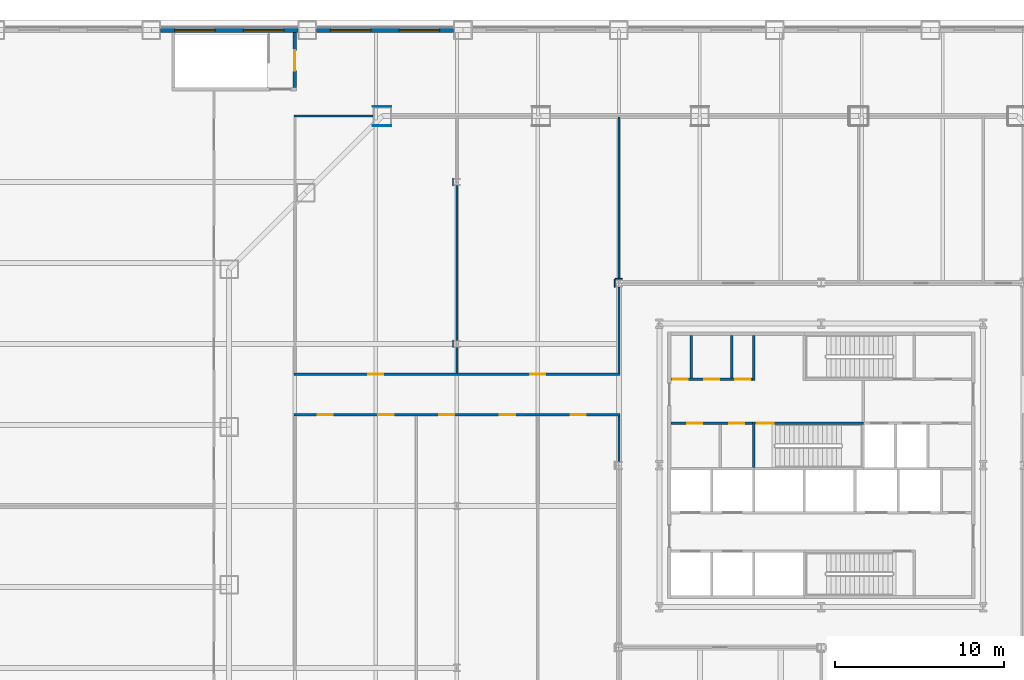
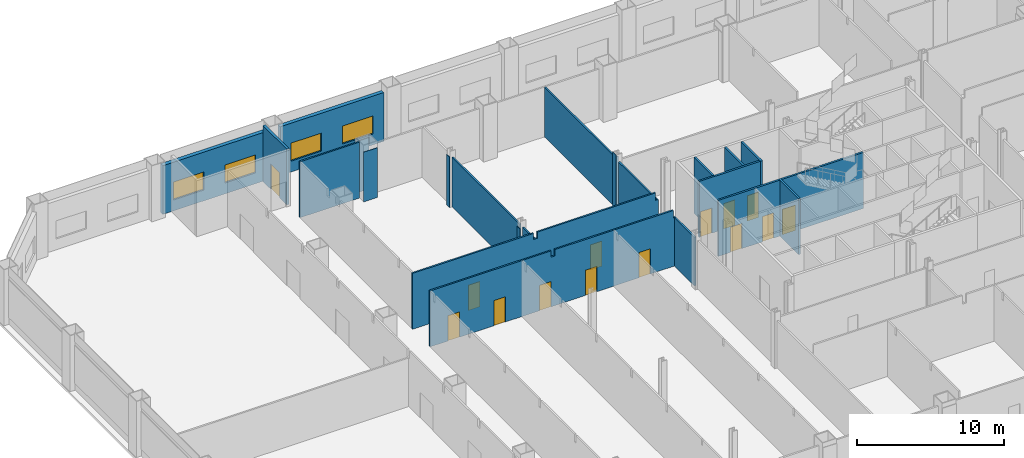
# One storey, part 12 of 22: 24 walls, 14 doors, 4 windows, 18 openings.
"""IFC4 building model written with IfcOpenShell, lengths in metres."""

from ifc_helpers import new_model, si_unit, direction, frame, frame_2d, origin, place, context, subcontext, project, spatial, polyline, rectangle, outline, extrude, material, layer, layer_set, type_object, element, fill, save


model = new_model("IFC4")

# Units and contexts
model_context = context("Model", 3, precision=1e-05, world=origin(), true_north=direction((0.0, 1.0)))
body_context = subcontext(model_context, "Body", "Model", "MODEL_VIEW")
ifc_project = project(units=[si_unit("LENGTHUNIT", "METRE"), si_unit("AREAUNIT", "SQUARE_METRE"), si_unit("VOLUMEUNIT", "CUBIC_METRE"), si_unit("PLANEANGLEUNIT", "RADIAN"), si_unit("MASSUNIT", "GRAM", prefix="KILO")], contexts=[model_context])

# Site, building, storey
site_placement = place(None, origin())
site = spatial("IfcSite", under=ifc_project, at=site_placement, CompositionType="ELEMENT")
building_placement = place(site_placement, origin())
building = spatial("IfcBuilding", under=site, at=building_placement, Name="Cairn Pilgrim Tower", CompositionType="ELEMENT")
storey_placement = place(building_placement, frame((0.0, 0.0, 35.39990234375)))
storey = spatial("IfcBuildingStorey", under=building, at=storey_placement, Name="L06", CompositionType="ELEMENT", Elevation=35.39990234375)

# Wall, openings, doors
ifc_material_1 = material(Name="Concrete C32/40", Category="concrete")
ifc_layer_1 = layer(ifc_material_1, 0.14990234375)
ifc_layer_set_1 = layer_set([ifc_layer_1], Name="CORE PARTITION 150 EI 60")
wall_type_1 = type_object("IfcWallType", Name="CORE PARTITION 150 EI 60", PredefinedType="PARTITIONING", material=ifc_layer_set_1)
wall_1_placement = place(storey_placement, frame((-1.699951171875, 4.89990234375, 0.0), z_axis=(0.0, 0.0, 1.0), x_axis=(1.0, 0.0, 0.0)))
wall_1 = element("IfcWall", 1, at=wall_1_placement, inside=storey, type_object=wall_type_1, Name="CW:L06:H07", PredefinedType="PARTITIONING", context=body_context, shape_type="SweptSolid", body=[
    extrude(rectangle(XDim=4.824951171875, YDim=0.14990234375, at=frame_2d((2.41259765625, 0.0))), origin(), (0.0, 0.0, 1.0), 4.650146484375),
])
opening_1_placement = place(wall_1_placement, frame((0.949951171875, 0.0, 0.0)))
opening_1 = element("IfcOpeningElement", 2, at=opening_1_placement, cuts=wall_1, Name="Opening RD-R3W1", PredefinedType="OPENING", context=body_context, shape_type="SweptSolid", body=[
    extrude(rectangle(XDim=0.89990234375, YDim=2.10009765625, at=frame_2d((0.449951171875, 1.050048828125))), frame((0.0, 0.0849609375, 0.0), z_axis=(0.0, -1.0, 0.0), x_axis=(1.0, 0.0, 0.0)), (0.0, 0.0, 1.0), 0.169921875),
])
opening_2_placement = place(wall_1_placement, frame((3.449951171875, 0.0, 0.0)))
opening_2 = element("IfcOpeningElement", 3, at=opening_2_placement, cuts=wall_1, Name="Opening RD-R3W2", PredefinedType="OPENING", context=body_context, shape_type="SweptSolid", body=[
    extrude(rectangle(XDim=0.89990234375, YDim=2.10009765625, at=frame_2d((0.449951171875, 1.050048828125))), frame((0.0, 0.0849609375, 0.0), z_axis=(0.0, -1.0, 0.0), x_axis=(1.0, 0.0, 0.0)), (0.0, 0.0, 1.0), 0.169921875),
])
ifc_material_2 = material(Name="Painted steel", Category="steel")
door_type_1 = type_object("IfcDoorType", Name="SERVICE ROOM DOOR 900x2100", OperationType="SINGLE_SWING_LEFT", PredefinedType="DOOR", material=ifc_material_2)
door_1_placement = place(opening_1_placement, origin())
door_1 = element("IfcDoor", 4, at=door_1_placement, inside=storey, type_object=door_type_1, Name="RD-R3W1", OperationType="SINGLE_SWING_RIGHT", OverallHeight=2.10009765625, OverallWidth=0.89990234375, PredefinedType="DOOR", context=body_context, shape_type="SweptSolid", body=[
    extrude(rectangle(XDim=0.89990234375, YDim=2.10009765625, at=frame_2d((0.449951171875, 1.050048828125))), frame((0.0, 0.02490234375, 0.0), z_axis=(0.0, -1.0, 0.0), x_axis=(1.0, 0.0, 0.0)), (0.0, 0.0, 1.0), 0.050048828125),
])
fill(opening_1, door_1)
door_2_placement = place(opening_2_placement, origin())
door_2 = element("IfcDoor", 5, at=door_2_placement, inside=storey, type_object=door_type_1, Name="RD-R3W2", OperationType="SINGLE_SWING_LEFT", OverallHeight=2.10009765625, OverallWidth=0.89990234375, PredefinedType="DOOR", context=body_context, shape_type="SweptSolid", body=[
    extrude(rectangle(XDim=0.89990234375, YDim=2.10009765625, at=frame_2d((0.449951171875, 1.050048828125))), frame((0.0, 0.02490234375, 0.0), z_axis=(0.0, -1.0, 0.0), x_axis=(1.0, 0.0, 0.0)), (0.0, 0.0, 1.0), 0.050048828125),
])
fill(opening_2, door_2)

wall_2_placement = place(storey_placement, frame((-1.699951171875, 7.5, 0.0), z_axis=(0.0, 0.0, 1.0), x_axis=(1.0, 0.0, 0.0)))
wall_2 = element("IfcWall", 6, at=wall_2_placement, inside=storey, type_object=wall_type_1, Name="CW:L06:H09", PredefinedType="PARTITIONING", context=body_context, shape_type="SweptSolid", body=[
    extrude(rectangle(XDim=4.824951171875, YDim=0.14990234375, at=frame_2d((2.41259765625, 0.0))), origin(), (0.0, 0.0, 1.0), 4.650146484375),
])
opening_3_placement = place(wall_2_placement, frame((0.10009765625, 0.0, 0.0)))
opening_3 = element("IfcOpeningElement", 7, at=opening_3_placement, cuts=wall_2, Name="Opening RD-R4W1", PredefinedType="OPENING", context=body_context, shape_type="SweptSolid", body=[
    extrude(rectangle(XDim=0.89990234375, YDim=2.10009765625, at=frame_2d((0.449951171875, 1.050048828125))), frame((0.0, 0.0849609375, 0.0), z_axis=(0.0, -1.0, 0.0), x_axis=(1.0, 0.0, 0.0)), (0.0, 0.0, 1.0), 0.169921875),
])
opening_4_placement = place(wall_2_placement, frame((1.949951171875, 0.0, 0.0)))
opening_4 = element("IfcOpeningElement", 8, at=opening_4_placement, cuts=wall_2, Name="Opening RD-R4W2", PredefinedType="OPENING", context=body_context, shape_type="SweptSolid", body=[
    extrude(rectangle(XDim=0.89990234375, YDim=2.10009765625, at=frame_2d((0.449951171875, 1.050048828125))), frame((0.0, 0.0849609375, 0.0), z_axis=(0.0, -1.0, 0.0), x_axis=(1.0, 0.0, 0.0)), (0.0, 0.0, 1.0), 0.169921875),
])
opening_5_placement = place(wall_2_placement, frame((3.800048828125, 0.0, 0.0)))
opening_5 = element("IfcOpeningElement", 9, at=opening_5_placement, cuts=wall_2, Name="Opening RD-R4W3", PredefinedType="OPENING", context=body_context, shape_type="SweptSolid", body=[
    extrude(rectangle(XDim=0.89990234375, YDim=2.10009765625, at=frame_2d((0.449951171875, 1.050048828125))), frame((0.0, 0.0849609375, 0.0), z_axis=(0.0, -1.0, 0.0), x_axis=(1.0, 0.0, 0.0)), (0.0, 0.0, 1.0), 0.169921875),
])
door_3_placement = place(opening_3_placement, origin())
door_3 = element("IfcDoor", 10, at=door_3_placement, inside=storey, type_object=door_type_1, Name="RD-R4W1", OperationType="SINGLE_SWING_RIGHT", OverallHeight=2.10009765625, OverallWidth=0.89990234375, PredefinedType="DOOR", context=body_context, shape_type="SweptSolid", body=[
    extrude(rectangle(XDim=0.89990234375, YDim=2.10009765625, at=frame_2d((0.449951171875, 1.050048828125))), frame((0.0, 0.02490234375, 0.0), z_axis=(0.0, -1.0, 0.0), x_axis=(1.0, 0.0, 0.0)), (0.0, 0.0, 1.0), 0.050048828125),
])
fill(opening_3, door_3)
door_4_placement = place(opening_4_placement, origin())
door_4 = element("IfcDoor", 11, at=door_4_placement, inside=storey, type_object=door_type_1, Name="RD-R4W2", OperationType="SINGLE_SWING_LEFT", OverallHeight=2.10009765625, OverallWidth=0.89990234375, PredefinedType="DOOR", context=body_context, shape_type="SweptSolid", body=[
    extrude(rectangle(XDim=0.89990234375, YDim=2.10009765625, at=frame_2d((0.449951171875, 1.050048828125))), frame((0.0, 0.02490234375, 0.0), z_axis=(0.0, -1.0, 0.0), x_axis=(1.0, 0.0, 0.0)), (0.0, 0.0, 1.0), 0.050048828125),
])
fill(opening_4, door_4)
door_5_placement = place(opening_5_placement, origin())
door_5 = element("IfcDoor", 12, at=door_5_placement, inside=storey, type_object=door_type_1, Name="RD-R4W3", OperationType="SINGLE_SWING_RIGHT", OverallHeight=2.10009765625, OverallWidth=0.89990234375, PredefinedType="DOOR", context=body_context, shape_type="SweptSolid", body=[
    extrude(rectangle(XDim=0.89990234375, YDim=2.10009765625, at=frame_2d((0.449951171875, 1.050048828125))), frame((0.0, 0.02490234375, 0.0), z_axis=(0.0, -1.0, 0.0), x_axis=(1.0, 0.0, 0.0)), (0.0, 0.0, 1.0), 0.050048828125),
])
fill(opening_5, door_5)

# Walls
for number, where, z_axis, x_axis, name in (
    (13, (-0.5, 7.574951171875, 0.0), (0.0, 0.0, 1.0), (0.0, 1.0, 0.0), "CW:L06:V13"),
    (14, (1.89990234375, 7.574951171875, 0.0), (0.0, 0.0, 1.0), (0.0, 1.0, 0.0), "CW:L06:V17"),
):
    element("IfcWall", number, at=place(storey_placement, frame(where, z_axis=z_axis, x_axis=x_axis)), inside=storey, type_object=wall_type_1, Name=name, PredefinedType="PARTITIONING", context=body_context, shape_type="SweptSolid", body=[
        extrude(rectangle(XDim=2.525146484375, YDim=0.14990234375, at=frame_2d((1.2626953125, 0.0))), origin(), (0.0, 0.0, 1.0), 4.650146484375),
    ])
wall_3_placement = place(storey_placement, frame((3.199951171875, 7.425048828125, 0.0), z_axis=(0.0, 0.0, 1.0), x_axis=(0.0, 1.0, 0.0)))
element("IfcWall", 15, at=wall_3_placement, inside=storey, type_object=wall_type_1, Name="CW:L06:V21", PredefinedType="PARTITIONING", context=body_context, shape_type="SweptSolid", body=[
    extrude(rectangle(XDim=2.675048828125, YDim=0.14990234375, at=frame_2d((1.33740234375, 0.0))), origin(), (0.0, 0.0, 1.0), 4.650146484375),
])
ifc_material_3 = material(Name="Gypsum partition")
ifc_layer_2 = layer(ifc_material_3, 0.125)
ifc_layer_set_2 = layer_set([ifc_layer_2], Name="PARTITION 125 DRYWALL EI 60")
wall_type_2 = type_object("IfcWallType", Name="PARTITION 125 DRYWALL EI 60", PredefinedType="PARTITIONING", material=ifc_layer_set_2)
wall_4_placement = place(storey_placement, frame((-4.800048828125, 2.636962890625, 0.0), z_axis=(0.0, 0.0, 1.0), x_axis=(0.0, 1.0, 0.0)))
element("IfcWall", 16, at=wall_4_placement, inside=storey, type_object=wall_type_2, Name="PARTITION W039", PredefinedType="PARTITIONING", context=body_context, shape_type="SweptSolid", body=[
    extrude(rectangle(XDim=2.700439453125, YDim=0.125, at=frame_2d((1.35009765625, 0.0))), origin(), (0.0, 0.0, 1.0), 4.030029296875),
])

# Wall, openings, doors
wall_5_placement = place(storey_placement, frame((-24.0625, 5.39990234375, 0.0), z_axis=(0.0, 0.0, 1.0), x_axis=(1.0, 0.0, 0.0)))
wall_5 = element("IfcWall", 17, at=wall_5_placement, inside=storey, type_object=wall_type_2, Name="PARTITION W045", PredefinedType="PARTITIONING", context=body_context, shape_type="SweptSolid", body=[
    extrude(outline(polyline([(0.0, 0.0), (19.324951171875, 0.0), (19.324951171875, 4.030029296875), (19.112548828125, 4.030029296875), (19.110595703125, 4.650146484375), (9.8125, 4.650146484375), (9.810546875, 4.130126953125), (9.512451171875, 4.130126953125), (9.510498046875, 4.650146484375), (0.0, 4.650146484375), (0.0, 0.0)])), frame((0.0, 0.0625, 0.0), z_axis=(0.0, -1.0, 0.0), x_axis=(1.0, 0.0, 0.0)), (0.0, 0.0, 1.0), 0.125),
])
opening_6_placement = place(wall_5_placement, frame((1.41259765625, 0.0, 0.0)))
opening_6 = element("IfcOpeningElement", 18, at=opening_6_placement, cuts=wall_5, Name="Opening 0603", PredefinedType="OPENING", context=body_context, shape_type="SweptSolid", body=[
    extrude(rectangle(XDim=0.89990234375, YDim=2.10009765625, at=frame_2d((0.449951171875, 1.050048828125))), frame((0.0, 0.072509765625, 0.0), z_axis=(0.0, -1.0, 0.0), x_axis=(1.0, 0.0, 0.0)), (0.0, 0.0, 1.0), 0.14501953125),
])
opening_7_placement = place(wall_5_placement, frame((5.012451171875, 0.0, 0.0)))
opening_7 = element("IfcOpeningElement", 19, at=opening_7_placement, cuts=wall_5, Name="Opening 0604", PredefinedType="OPENING", context=body_context, shape_type="SweptSolid", body=[
    extrude(rectangle(XDim=0.89990234375, YDim=2.10009765625, at=frame_2d((0.449951171875, 1.050048828125))), frame((0.0, 0.072509765625, 0.0), z_axis=(0.0, -1.0, 0.0), x_axis=(1.0, 0.0, 0.0)), (0.0, 0.0, 1.0), 0.14501953125),
])
opening_8_placement = place(wall_5_placement, frame((8.612548828125, 0.0, 0.0)))
opening_8 = element("IfcOpeningElement", 20, at=opening_8_placement, cuts=wall_5, Name="Opening 0605", PredefinedType="OPENING", context=body_context, shape_type="SweptSolid", body=[
    extrude(rectangle(XDim=0.89990234375, YDim=2.10009765625, at=frame_2d((0.449951171875, 1.050048828125))), frame((0.0, 0.072509765625, 0.0), z_axis=(0.0, -1.0, 0.0), x_axis=(1.0, 0.0, 0.0)), (0.0, 0.0, 1.0), 0.14501953125),
])
opening_9_placement = place(wall_5_placement, frame((12.21240234375, 0.0, 0.0)))
opening_9 = element("IfcOpeningElement", 21, at=opening_9_placement, cuts=wall_5, Name="Opening 0606", PredefinedType="OPENING", context=body_context, shape_type="SweptSolid", body=[
    extrude(rectangle(XDim=0.89990234375, YDim=2.10009765625, at=frame_2d((0.449951171875, 1.050048828125))), frame((0.0, 0.072509765625, 0.0), z_axis=(0.0, -1.0, 0.0), x_axis=(1.0, 0.0, 0.0)), (0.0, 0.0, 1.0), 0.14501953125),
])
opening_10_placement = place(wall_5_placement, frame((16.41259765625, 0.0, 0.0)))
opening_10 = element("IfcOpeningElement", 22, at=opening_10_placement, cuts=wall_5, Name="Opening 0607", PredefinedType="OPENING", context=body_context, shape_type="SweptSolid", body=[
    extrude(rectangle(XDim=0.89990234375, YDim=2.10009765625, at=frame_2d((0.449951171875, 1.050048828125))), frame((0.0, 0.072509765625, 0.0), z_axis=(0.0, -1.0, 0.0), x_axis=(1.0, 0.0, 0.0)), (0.0, 0.0, 1.0), 0.14501953125),
])
ifc_material_4 = material(Name="Timber door leaf", Category="wood")
door_type_2 = type_object("IfcDoorType", Name="ROOM DOOR 900x2100 FD30S", OperationType="NOTDEFINED", PredefinedType="DOOR", material=ifc_material_4)
door_6_placement = place(opening_6_placement, origin())
door_6 = element("IfcDoor", 23, at=door_6_placement, inside=storey, type_object=door_type_2, Name="DOOR 0603", OperationType="SINGLE_SWING_LEFT", OverallHeight=2.10009765625, OverallWidth=0.89990234375, PredefinedType="DOOR", context=body_context, shape_type="SweptSolid", body=[
    extrude(rectangle(XDim=0.89990234375, YDim=2.10009765625, at=frame_2d((0.449951171875, 1.050048828125))), frame((0.0, 0.02490234375, 0.0), z_axis=(0.0, -1.0, 0.0), x_axis=(1.0, 0.0, 0.0)), (0.0, 0.0, 1.0), 0.050048828125),
])
fill(opening_6, door_6)
door_7_placement = place(opening_7_placement, origin())
door_7 = element("IfcDoor", 24, at=door_7_placement, inside=storey, type_object=door_type_2, Name="DOOR 0604", OperationType="SINGLE_SWING_RIGHT", OverallHeight=2.10009765625, OverallWidth=0.89990234375, PredefinedType="DOOR", context=body_context, shape_type="SweptSolid", body=[
    extrude(rectangle(XDim=0.89990234375, YDim=2.10009765625, at=frame_2d((0.449951171875, 1.050048828125))), frame((0.0, 0.02490234375, 0.0), z_axis=(0.0, -1.0, 0.0), x_axis=(1.0, 0.0, 0.0)), (0.0, 0.0, 1.0), 0.050048828125),
])
fill(opening_7, door_7)
door_8_placement = place(opening_8_placement, origin())
door_8 = element("IfcDoor", 25, at=door_8_placement, inside=storey, type_object=door_type_2, Name="DOOR 0605", OperationType="SINGLE_SWING_LEFT", OverallHeight=2.10009765625, OverallWidth=0.89990234375, PredefinedType="DOOR", context=body_context, shape_type="SweptSolid", body=[
    extrude(rectangle(XDim=0.89990234375, YDim=2.10009765625, at=frame_2d((0.449951171875, 1.050048828125))), frame((0.0, 0.02490234375, 0.0), z_axis=(0.0, -1.0, 0.0), x_axis=(1.0, 0.0, 0.0)), (0.0, 0.0, 1.0), 0.050048828125),
])
fill(opening_8, door_8)
door_9_placement = place(opening_9_placement, origin())
door_9 = element("IfcDoor", 26, at=door_9_placement, inside=storey, type_object=door_type_2, Name="DOOR 0606", OperationType="SINGLE_SWING_RIGHT", OverallHeight=2.10009765625, OverallWidth=0.89990234375, PredefinedType="DOOR", context=body_context, shape_type="SweptSolid", body=[
    extrude(rectangle(XDim=0.89990234375, YDim=2.10009765625, at=frame_2d((0.449951171875, 1.050048828125))), frame((0.0, 0.02490234375, 0.0), z_axis=(0.0, -1.0, 0.0), x_axis=(1.0, 0.0, 0.0)), (0.0, 0.0, 1.0), 0.050048828125),
])
fill(opening_9, door_9)
door_10_placement = place(opening_10_placement, origin())
door_10 = element("IfcDoor", 27, at=door_10_placement, inside=storey, type_object=door_type_2, Name="DOOR 0607", OperationType="SINGLE_SWING_LEFT", OverallHeight=2.10009765625, OverallWidth=0.89990234375, PredefinedType="DOOR", context=body_context, shape_type="SweptSolid", body=[
    extrude(rectangle(XDim=0.89990234375, YDim=2.10009765625, at=frame_2d((0.449951171875, 1.050048828125))), frame((0.0, 0.02490234375, 0.0), z_axis=(0.0, -1.0, 0.0), x_axis=(1.0, 0.0, 0.0)), (0.0, 0.0, 1.0), 0.050048828125),
])
fill(opening_10, door_10)

wall_6_placement = place(storey_placement, frame((-24.0625, 7.800048828125, 0.0), z_axis=(0.0, 0.0, 1.0), x_axis=(1.0, 0.0, 0.0)))
wall_6 = element("IfcWall", 28, at=wall_6_placement, inside=storey, type_object=wall_type_2, Name="PARTITION W047", PredefinedType="PARTITIONING", context=body_context, shape_type="SweptSolid", body=[
    extrude(outline(polyline([(0.0, 0.0), (19.324951171875, 0.0), (19.324951171875, 4.030029296875), (19.112548828125, 4.030029296875), (19.110595703125, 4.650146484375), (9.8125, 4.650146484375), (9.810546875, 4.130126953125), (9.512451171875, 4.130126953125), (9.510498046875, 4.650146484375), (0.0, 4.650146484375), (0.0, 0.0)])), frame((0.0, 0.0625, 0.0), z_axis=(0.0, -1.0, 0.0), x_axis=(1.0, 0.0, 0.0)), (0.0, 0.0, 1.0), 0.125),
])
opening_11_placement = place(wall_6_placement, frame((4.41259765625, 0.0, 0.0)))
opening_11 = element("IfcOpeningElement", 29, at=opening_11_placement, cuts=wall_6, Name="Opening 0601", PredefinedType="OPENING", context=body_context, shape_type="SweptSolid", body=[
    extrude(rectangle(XDim=0.89990234375, YDim=2.10009765625, at=frame_2d((0.449951171875, 1.050048828125))), frame((0.0, 0.072509765625, 0.0), z_axis=(0.0, -1.0, 0.0), x_axis=(1.0, 0.0, 0.0)), (0.0, 0.0, 1.0), 0.14501953125),
])
opening_12_placement = place(wall_6_placement, frame((14.012451171875, 0.0, 0.0)))
opening_12 = element("IfcOpeningElement", 30, at=opening_12_placement, cuts=wall_6, Name="Opening 0602", PredefinedType="OPENING", context=body_context, shape_type="SweptSolid", body=[
    extrude(rectangle(XDim=0.89990234375, YDim=2.10009765625, at=frame_2d((0.449951171875, 1.050048828125))), frame((0.0, 0.072509765625, 0.0), z_axis=(0.0, -1.0, 0.0), x_axis=(1.0, 0.0, 0.0)), (0.0, 0.0, 1.0), 0.14501953125),
])
door_11_placement = place(opening_11_placement, frame((0.89990234375, 0.0, 0.0), z_axis=(0.0, 0.0, 1.0), x_axis=(-1.0, 0.0, 0.0)))
door_11 = element("IfcDoor", 31, at=door_11_placement, inside=storey, type_object=door_type_2, Name="DOOR 0601", OperationType="SINGLE_SWING_LEFT", OverallHeight=2.10009765625, OverallWidth=0.89990234375, PredefinedType="DOOR", context=body_context, shape_type="SweptSolid", body=[
    extrude(rectangle(XDim=0.89990234375, YDim=2.10009765625, at=frame_2d((0.449951171875, 1.050048828125))), frame((0.0, 0.02490234375, 0.0), z_axis=(0.0, -1.0, 0.0), x_axis=(1.0, 0.0, 0.0)), (0.0, 0.0, 1.0), 0.050048828125),
])
fill(opening_11, door_11)
door_12_placement = place(opening_12_placement, frame((0.89990234375, 0.0, 0.0), z_axis=(0.0, 0.0, 1.0), x_axis=(-1.0, 0.0, 0.0)))
door_12 = element("IfcDoor", 32, at=door_12_placement, inside=storey, type_object=door_type_2, Name="DOOR 0602", OperationType="SINGLE_SWING_LEFT", OverallHeight=2.10009765625, OverallWidth=0.89990234375, PredefinedType="DOOR", context=body_context, shape_type="SweptSolid", body=[
    extrude(rectangle(XDim=0.89990234375, YDim=2.10009765625, at=frame_2d((0.449951171875, 1.050048828125))), frame((0.0, 0.02490234375, 0.0), z_axis=(0.0, -1.0, 0.0), x_axis=(1.0, 0.0, 0.0)), (0.0, 0.0, 1.0), 0.050048828125),
])
fill(opening_12, door_12)

# Walls
wall_7_placement = place(storey_placement, frame((-14.39990234375, 7.862548828125, 0.0), z_axis=(0.0, 0.0, 1.0), x_axis=(0.0, 1.0, 0.0)))
element("IfcWall", 33, at=wall_7_placement, inside=storey, type_object=wall_type_2, Name="PARTITION W050", PredefinedType="PARTITIONING", context=body_context, shape_type="SweptSolid", body=[
    extrude(rectangle(XDim=1.52490234375, YDim=0.125, at=frame_2d((0.762451171875, 0.0))), origin(), (0.0, 0.0, 1.0), 4.130126953125),
])
wall_8_placement = place(storey_placement, frame((-4.800048828125, 7.862548828125, 0.0), z_axis=(0.0, 0.0, 1.0), x_axis=(0.0, 1.0, 0.0)))
element("IfcWall", 34, at=wall_8_placement, inside=storey, type_object=wall_type_2, Name="PARTITION W051", PredefinedType="PARTITIONING", context=body_context, shape_type="SweptSolid", body=[
    extrude(rectangle(XDim=5.100341796875, YDim=0.125, at=frame_2d((2.55029296875, 0.0))), origin(), (0.0, 0.0, 1.0), 4.030029296875),
])
wall_9_placement = place(storey_placement, frame((-14.39990234375, 9.8125, 0.0), z_axis=(0.0, 0.0, 1.0), x_axis=(0.0, 1.0, 0.0)))
element("IfcWall", 35, at=wall_9_placement, inside=storey, type_object=wall_type_2, Name="PARTITION W054", PredefinedType="PARTITIONING", context=body_context, shape_type="SweptSolid", body=[
    extrude(rectangle(XDim=9.175048828125, YDim=0.125, at=frame_2d((4.58740234375, 0.0))), origin(), (0.0, 0.0, 1.0), 4.130126953125),
])
wall_10_placement = place(storey_placement, frame((-4.800048828125, 13.43701171875, 0.0), z_axis=(0.0, 0.0, 1.0), x_axis=(0.0, 1.0, 0.0)))
element("IfcWall", 36, at=wall_10_placement, inside=storey, type_object=wall_type_2, Name="PARTITION W061", PredefinedType="PARTITIONING", context=body_context, shape_type="SweptSolid", body=[
    extrude(rectangle(XDim=9.6005859375, YDim=0.125, at=frame_2d((4.80029296875, 0.0))), origin(), (0.0, 0.0, 1.0), 4.130126953125),
])
wall_11_placement = place(storey_placement, frame((-24.0625, 23.10009765625, 0.0), z_axis=(0.0, 0.0, 1.0), x_axis=(1.0, 0.0, 0.0)))
element("IfcWall", 37, at=wall_11_placement, inside=storey, type_object=wall_type_2, Name="PARTITION W070", PredefinedType="PARTITIONING", context=body_context, shape_type="SweptSolid", body=[
    extrude(rectangle(XDim=4.685302734375, YDim=0.125, at=frame_2d((2.3427734375, 0.0))), origin(), (0.0, 0.0, 1.0), 4.650146484375),
])
ifc_layer_3 = layer(ifc_material_3, 0.050048828125)
ifc_layer_set_3 = layer_set([ifc_layer_3], Name="PARTITION 50 DRYWALL EI 60")
wall_type_3 = type_object("IfcWallType", Name="PARTITION 50 DRYWALL EI 60", PredefinedType="PARTITIONING", material=ifc_layer_set_3)
wall_12_placement = place(storey_placement, frame((-14.62939453125, 9.387451171875, 0.0), z_axis=(0.0, 0.0, 1.0), x_axis=(0.0, 1.0, 0.0)))
element("IfcWall", 38, at=wall_12_placement, inside=storey, type_object=wall_type_3, Name="COLUMN CASING WC28", PredefinedType="PARTITIONING", context=body_context, shape_type="SweptSolid", body=[
    extrude(rectangle(XDim=0.425048828125, YDim=0.050048828125, at=frame_2d((0.21240234375, 0.0))), origin(), (0.0, 0.0, 1.0), 4.030029296875),
])
wall_13_placement = place(storey_placement, frame((-14.62939453125, 18.987548828125, 0.0), z_axis=(0.0, 0.0, 1.0), x_axis=(0.0, 1.0, 0.0)))
element("IfcWall", 39, at=wall_13_placement, inside=storey, type_object=wall_type_3, Name="COLUMN CASING WC29", PredefinedType="PARTITIONING", context=body_context, shape_type="SweptSolid", body=[
    extrude(rectangle(XDim=0.425048828125, YDim=0.050048828125, at=frame_2d((0.21240234375, 0.0))), origin(), (0.0, 0.0, 1.0), 4.18017578125),
])
wall_14_placement = place(storey_placement, frame((-5.037109375, 12.962890625, 0.0), z_axis=(0.0, 0.0, 1.0), x_axis=(0.0, 1.0, 0.0)))
element("IfcWall", 40, at=wall_14_placement, inside=storey, type_object=wall_type_3, Name="COLUMN CASING WC30", PredefinedType="PARTITIONING", context=body_context, shape_type="SweptSolid", body=[
    extrude(rectangle(XDim=0.47412109375, YDim=0.050048828125, at=frame_2d((0.237060546875, 0.0))), origin(), (0.0, 0.0, 1.0), 4.650146484375),
])
wall_15_placement = place(storey_placement, frame((-5.011962890625, 13.4619140625, 0.0), z_axis=(0.0, 0.0, 1.0), x_axis=(1.0, 0.0, 0.0)))
element("IfcWall", 41, at=wall_15_placement, inside=storey, type_object=wall_type_3, Name="COLUMN CASING WC34", PredefinedType="PARTITIONING", context=body_context, shape_type="SweptSolid", body=[
    extrude(rectangle(XDim=0.424072265625, YDim=0.050048828125, at=frame_2d((0.2119140625, 0.0))), origin(), (0.0, 0.0, 1.0), 4.130126953125),
])
wall_16_placement = place(storey_placement, frame((-19.377197265625, 22.52490234375, 0.0), z_axis=(0.0, 0.0, 1.0), x_axis=(1.0, 0.0, 0.0)))
element("IfcWall", 42, at=wall_16_placement, inside=storey, type_object=wall_type_3, Name="COLUMN CASING WC41", PredefinedType="PARTITIONING", context=body_context, shape_type="SweptSolid", body=[
    extrude(rectangle(XDim=1.10009765625, YDim=0.050048828125, at=frame_2d((0.550048828125, 0.0))), origin(), (0.0, 0.0, 1.0), 4.130126953125),
])
wall_17_placement = place(storey_placement, frame((-19.377197265625, 23.675048828125, 0.0), z_axis=(0.0, 0.0, 1.0), x_axis=(1.0, 0.0, 0.0)))
element("IfcWall", 43, at=wall_17_placement, inside=storey, type_object=wall_type_3, Name="COLUMN CASING WC42", PredefinedType="PARTITIONING", context=body_context, shape_type="SweptSolid", body=[
    extrude(rectangle(XDim=1.10009765625, YDim=0.050048828125, at=frame_2d((0.550048828125, 0.0))), origin(), (0.0, 0.0, 1.0), 4.27001953125),
])

# Wall, opening, door
ifc_material_5 = material(Name="Concrete C35/45", Category="concrete")
ifc_layer_4 = layer(ifc_material_5, 0.199951171875)
ifc_layer_set_4 = layer_set([ifc_layer_4], Name="PODIUM STAIR WALL 200 EI 120")
wall_type_4 = type_object("IfcWallType", Name="PODIUM STAIR WALL 200 EI 120", PredefinedType="SOLIDWALL", material=ifc_layer_set_4)
wall_18_placement = place(storey_placement, frame((-24.0, 24.800048828125, 0.0), z_axis=(0.0, 0.0, 1.0), x_axis=(0.0, 1.0, 0.0)))
wall_18 = element("IfcWall", 44, at=wall_18_placement, inside=storey, type_object=wall_type_4, Name="STAIR SHAFT WALL W078", PredefinedType="SOLIDWALL", context=body_context, shape_type="SweptSolid", body=[
    extrude(rectangle(XDim=3.25, YDim=0.199951171875, at=frame_2d((1.625, 0.0))), origin(), (0.0, 0.0, 1.0), 4.650146484375),
])
opening_13_placement = place(wall_18_placement, frame((1.0, 0.0, 0.0)))
opening_13 = element("IfcOpeningElement", 45, at=opening_13_placement, cuts=wall_18, Name="Opening 0624", PredefinedType="OPENING", context=body_context, shape_type="SweptSolid", body=[
    extrude(rectangle(XDim=1.199951171875, YDim=2.10009765625, at=frame_2d((0.60009765625, 1.050048828125))), frame((0.0, 0.10986328125, 0.0), z_axis=(0.0, -1.0, 0.0), x_axis=(1.0, 0.0, 0.0)), (0.0, 0.0, 1.0), 0.219970703125),
])
ifc_material_6 = material(Name="Steel-faced fire door leaf", Category="steel")
door_type_3 = type_object("IfcDoorType", Name="FIRE DOOR 1200x2100 FD60S", OperationType="NOTDEFINED", PredefinedType="DOOR", material=ifc_material_6)
door_13_placement = place(opening_13_placement, origin())
door_13 = element("IfcDoor", 46, at=door_13_placement, inside=storey, type_object=door_type_3, Name="DOOR 0624", OperationType="SINGLE_SWING_RIGHT", OverallHeight=2.10009765625, OverallWidth=1.199951171875, PredefinedType="DOOR", context=body_context, shape_type="SweptSolid", body=[
    extrude(rectangle(XDim=1.199951171875, YDim=2.10009765625, at=frame_2d((0.60009765625, 1.050048828125))), frame((0.0, 0.02490234375, 0.0), z_axis=(0.0, -1.0, 0.0), x_axis=(1.0, 0.0, 0.0)), (0.0, 0.0, 1.0), 0.050048828125),
])
fill(opening_13, door_13)

# Wall, openings, windows
ifc_material_7 = material(Name="Concrete C35/45 backup wall with bronze aluminium cladding", Category="concrete")
ifc_layer_5 = layer(ifc_material_7, 0.300048828125)
ifc_layer_set_5 = layer_set([ifc_layer_5], Name="PODIUM WALL 300 BRONZE-CLAD")
wall_type_5 = type_object("IfcWallType", Name="PODIUM WALL 300 BRONZE-CLAD", PredefinedType="SOLIDWALL", material=ifc_layer_set_5)
wall_19_placement = place(storey_placement, frame((-14.587890625, 28.199951171875, 0.0), z_axis=(0.0, 0.0, 1.0), x_axis=(-1.0, 0.0, 0.0)))
wall_19 = element("IfcWall", 47, at=wall_19_placement, inside=storey, type_object=wall_type_5, Name="PODIUM EXTERNAL WALL N6-N7", PredefinedType="SOLIDWALL", context=body_context, shape_type="SweptSolid", body=[
    extrude(rectangle(XDim=8.1376953125, YDim=0.300048828125, at=frame_2d((4.06884765625, 0.0))), origin(), (0.0, 0.0, 1.0), 4.050048828125),
])
opening_14_placement = place(wall_19_placement, frame((0.83447265625, 0.0, 0.89990234375)))
opening_14 = element("IfcOpeningElement", 48, at=opening_14_placement, cuts=wall_19, Name="Opening PW15", PredefinedType="OPENING", context=body_context, shape_type="SweptSolid", body=[
    extrude(rectangle(XDim=2.39990234375, YDim=1.5, at=frame_2d((1.199951171875, 0.75))), frame((0.0, 0.16015625, 0.0), z_axis=(0.0, -1.0, 0.0), x_axis=(1.0, 0.0, 0.0)), (0.0, 0.0, 1.0), 0.320068359375),
])
opening_15_placement = place(wall_19_placement, frame((4.9033203125, 0.0, 0.89990234375)))
opening_15 = element("IfcOpeningElement", 49, at=opening_15_placement, cuts=wall_19, Name="Opening PW15", PredefinedType="OPENING", context=body_context, shape_type="SweptSolid", body=[
    extrude(rectangle(XDim=2.39990234375, YDim=1.5, at=frame_2d((1.199951171875, 0.75))), frame((0.0, 0.16015625, 0.0), z_axis=(0.0, -1.0, 0.0), x_axis=(1.0, 0.0, 0.0)), (0.0, 0.0, 1.0), 0.320068359375),
])
ifc_material_8 = material(Name="Bronze anodised aluminium frame with tinted low-E glass", Category="aluminium")
window_type = type_object("IfcWindowType", Name="PODIUM FIXED WINDOW 2400x1500", PartitioningType="SINGLE_PANEL", PredefinedType="WINDOW", material=ifc_material_8)
window_1_placement = place(opening_14_placement, origin())
window_1 = element("IfcWindow", 50, at=window_1_placement, inside=storey, type_object=window_type, Name="PODIUM WINDOW", OverallHeight=1.5, OverallWidth=2.39990234375, PartitioningType="SINGLE_PANEL", PredefinedType="WINDOW", context=body_context, shape_type="SweptSolid", body=[
    extrude(rectangle(XDim=2.39990234375, YDim=1.5, at=frame_2d((1.199951171875, 0.75))), frame((0.0, 0.030029296875, 0.0), z_axis=(0.0, -1.0, 0.0), x_axis=(1.0, 0.0, 0.0)), (0.0, 0.0, 1.0), 0.06005859375),
])
fill(opening_14, window_1)
window_2_placement = place(opening_15_placement, origin())
window_2 = element("IfcWindow", 51, at=window_2_placement, inside=storey, type_object=window_type, Name="PODIUM WINDOW", OverallHeight=1.5, OverallWidth=2.39990234375, PartitioningType="SINGLE_PANEL", PredefinedType="WINDOW", context=body_context, shape_type="SweptSolid", body=[
    extrude(rectangle(XDim=2.39990234375, YDim=1.5, at=frame_2d((1.199951171875, 0.75))), frame((0.0, 0.030029296875, 0.0), z_axis=(0.0, -1.0, 0.0), x_axis=(1.0, 0.0, 0.0)), (0.0, 0.0, 1.0), 0.06005859375),
])
fill(opening_15, window_2)

wall_20_placement = place(storey_placement, frame((-23.82568359375, 28.199951171875, 0.0), z_axis=(0.0, 0.0, 1.0), x_axis=(-1.0, 0.0, 0.0)))
wall_20 = element("IfcWall", 52, at=wall_20_placement, inside=storey, type_object=wall_type_5, Name="PODIUM EXTERNAL WALL N7-N8", PredefinedType="SOLIDWALL", context=body_context, shape_type="SweptSolid", body=[
    extrude(rectangle(XDim=8.137939453125, YDim=0.300048828125, at=frame_2d((4.06884765625, 0.0))), origin(), (0.0, 0.0, 1.0), 4.050048828125),
])
opening_16_placement = place(wall_20_placement, frame((0.83447265625, 0.0, 0.89990234375)))
opening_16 = element("IfcOpeningElement", 53, at=opening_16_placement, cuts=wall_20, Name="Opening PW15", PredefinedType="OPENING", context=body_context, shape_type="SweptSolid", body=[
    extrude(rectangle(XDim=2.39990234375, YDim=1.5, at=frame_2d((1.199951171875, 0.75))), frame((0.0, 0.16015625, 0.0), z_axis=(0.0, -1.0, 0.0), x_axis=(1.0, 0.0, 0.0)), (0.0, 0.0, 1.0), 0.320068359375),
])
opening_17_placement = place(wall_20_placement, frame((4.9033203125, 0.0, 0.89990234375)))
opening_17 = element("IfcOpeningElement", 54, at=opening_17_placement, cuts=wall_20, Name="Opening PW15", PredefinedType="OPENING", context=body_context, shape_type="SweptSolid", body=[
    extrude(rectangle(XDim=2.39990234375, YDim=1.5, at=frame_2d((1.199951171875, 0.75))), frame((0.0, 0.16015625, 0.0), z_axis=(0.0, -1.0, 0.0), x_axis=(1.0, 0.0, 0.0)), (0.0, 0.0, 1.0), 0.320068359375),
])
window_3_placement = place(opening_16_placement, origin())
window_3 = element("IfcWindow", 55, at=window_3_placement, inside=storey, type_object=window_type, Name="PODIUM WINDOW", OverallHeight=1.5, OverallWidth=2.39990234375, PartitioningType="SINGLE_PANEL", PredefinedType="WINDOW", context=body_context, shape_type="SweptSolid", body=[
    extrude(rectangle(XDim=2.39990234375, YDim=1.5, at=frame_2d((1.199951171875, 0.75))), frame((0.0, 0.030029296875, 0.0), z_axis=(0.0, -1.0, 0.0), x_axis=(1.0, 0.0, 0.0)), (0.0, 0.0, 1.0), 0.06005859375),
])
fill(opening_16, window_3)
window_4_placement = place(opening_17_placement, origin())
window_4 = element("IfcWindow", 56, at=window_4_placement, inside=storey, type_object=window_type, Name="PODIUM WINDOW", OverallHeight=1.5, OverallWidth=2.39990234375, PartitioningType="SINGLE_PANEL", PredefinedType="WINDOW", context=body_context, shape_type="SweptSolid", body=[
    extrude(rectangle(XDim=2.39990234375, YDim=1.5, at=frame_2d((1.199951171875, 0.75))), frame((0.0, 0.030029296875, 0.0), z_axis=(0.0, -1.0, 0.0), x_axis=(1.0, 0.0, 0.0)), (0.0, 0.0, 1.0), 0.06005859375),
])
fill(opening_17, window_4)

# Wall, opening, door
ifc_layer_6 = layer(ifc_material_5, 0.14990234375)
ifc_layer_set_6 = layer_set([ifc_layer_6], Name="STAIR SHAFT WALL 150 EI 120")
wall_type_6 = type_object("IfcWallType", Name="STAIR SHAFT WALL 150 EI 120", PredefinedType="SOLIDWALL", material=ifc_layer_set_6)
wall_21_placement = place(storey_placement, frame((3.27490234375, 4.89990234375, 0.0), z_axis=(0.0, 0.0, 1.0), x_axis=(1.0, 0.0, 0.0)))
wall_21 = element("IfcWall", 57, at=wall_21_placement, inside=storey, type_object=wall_type_6, Name="CW:L06:H08-1", PredefinedType="SOLIDWALL", context=body_context, shape_type="SweptSolid", body=[
    extrude(rectangle(XDim=6.425048828125, YDim=0.14990234375, at=frame_2d((3.21240234375, 0.0))), origin(), (0.0, 0.0, 1.0), 4.650146484375),
])
opening_18_placement = place(wall_21_placement, frame((0.10009765625, 0.0, 0.0)))
opening_18 = element("IfcOpeningElement", 58, at=opening_18_placement, cuts=wall_21, Name="Opening SD-B", PredefinedType="OPENING", context=body_context, shape_type="SweptSolid", body=[
    extrude(rectangle(XDim=1.0, YDim=2.10009765625, at=frame_2d((0.5, 1.050048828125))), frame((0.0, 0.0849609375, 0.0), z_axis=(0.0, -1.0, 0.0), x_axis=(1.0, 0.0, 0.0)), (0.0, 0.0, 1.0), 0.169921875),
])
door_type_4 = type_object("IfcDoorType", Name="STAIR DOOR FD60S 1000x2100", OperationType="SINGLE_SWING_LEFT", PredefinedType="DOOR", material=ifc_material_2)
door_14_placement = place(opening_18_placement, origin())
door_14 = element("IfcDoor", 59, at=door_14_placement, inside=storey, type_object=door_type_4, Name="SD-B", OperationType="SINGLE_SWING_LEFT", OverallHeight=2.10009765625, OverallWidth=1.0, PredefinedType="DOOR", context=body_context, shape_type="SweptSolid", body=[
    extrude(rectangle(XDim=1.0, YDim=2.10009765625, at=frame_2d((0.5, 1.050048828125))), frame((0.0, 0.02490234375, 0.0), z_axis=(0.0, -1.0, 0.0), x_axis=(1.0, 0.0, 0.0)), (0.0, 0.0, 1.0), 0.050048828125),
])
fill(opening_18, door_14)

# Wall
wall_22_placement = place(storey_placement, frame((3.199951171875, 2.27490234375, 0.0), z_axis=(0.0, 0.0, 1.0), x_axis=(0.0, 1.0, 0.0)))
element("IfcWall", 60, at=wall_22_placement, inside=storey, type_object=wall_type_6, Name="CW:L06:V20", PredefinedType="SOLIDWALL", context=body_context, shape_type="SweptSolid", body=[
    extrude(rectangle(XDim=2.7001953125, YDim=0.14990234375, at=frame_2d((1.35009765625, 0.0))), origin(), (0.0, 0.0, 1.0), 4.650146484375),
])

save(model, "model.ifc")
